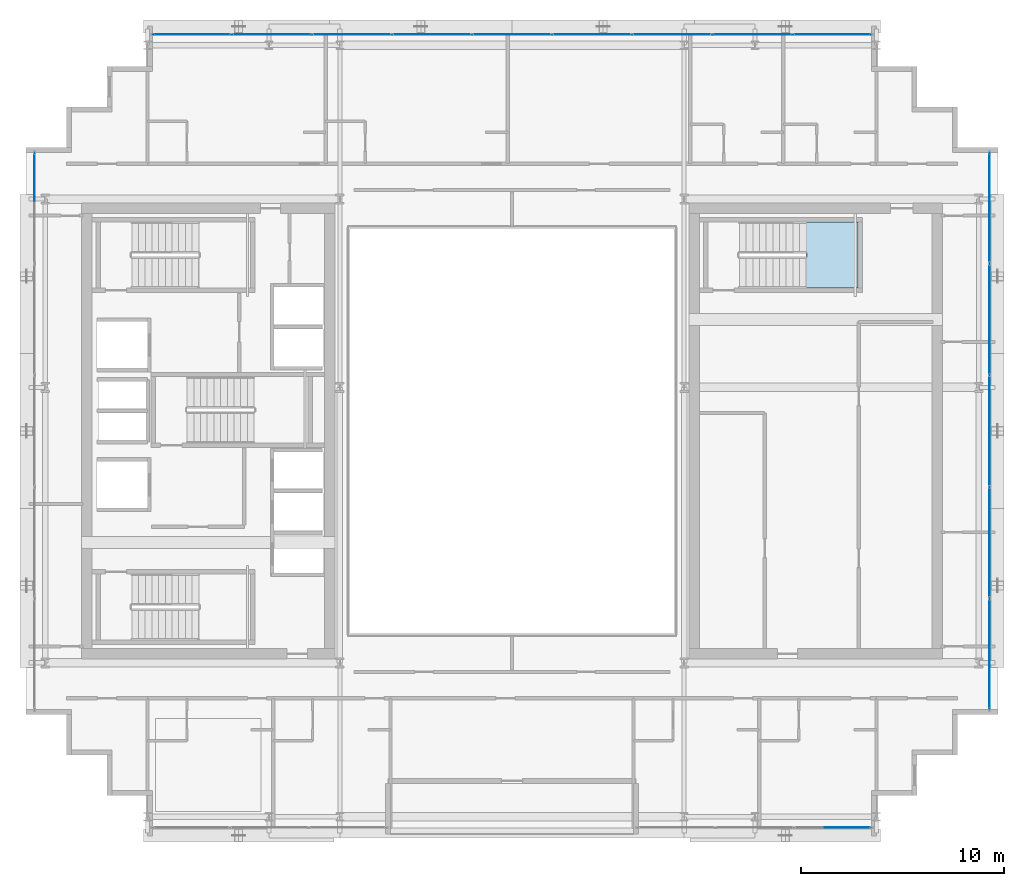
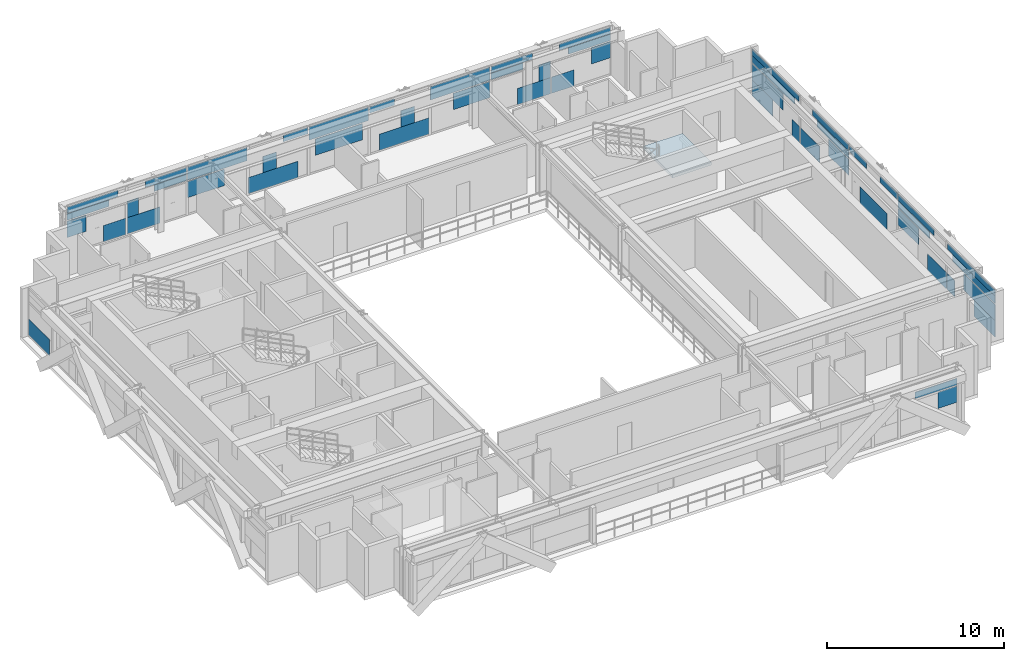
# One storey, part 21 of 31: 52 plates, 1 slab, 5 elements without a shape of their own.
"""IFC4 building model written with IfcOpenShell, lengths in metres."""

from ifc_helpers import new_model, si_unit, direction, frame, origin, origin_2d, place, context, subcontext, project, spatial, polyline, rectangle, outline, extrude, source, transform, mapped, material, layer, layer_set, type_object, element, aggregate, save


model = new_model("IFC4")

# Units and contexts
model_context = context("Model", 3, precision=1e-05, world=origin(), true_north=direction((0.0, 1.0)))
body_context = subcontext(model_context, "Body", "Model", "MODEL_VIEW")
ifc_project = project(units=[si_unit("LENGTHUNIT", "METRE"), si_unit("AREAUNIT", "SQUARE_METRE"), si_unit("VOLUMEUNIT", "CUBIC_METRE"), si_unit("PLANEANGLEUNIT", "RADIAN"), si_unit("MASSUNIT", "GRAM", prefix="KILO")], contexts=[model_context])

# Site, building, storey
site_placement = place(None, origin())
site = spatial("IfcSite", under=ifc_project, at=site_placement, CompositionType="ELEMENT")
building_placement = place(site_placement, origin())
building = spatial("IfcBuilding", under=site, at=building_placement, Name="Ocotamira Hotel", CompositionType="ELEMENT")
storey_placement = place(building_placement, frame((0.0, 0.0, 181.199951171875)))
storey = spatial("IfcBuildingStorey", under=building, at=storey_placement, Name="L45", CompositionType="ELEMENT", Elevation=181.199951171875)

# Stair, slab
ifc_material_1 = material(Name="Concrete C40/50", Category="concrete")
stair_type = type_object("IfcStairType", Name="ST-CORE-1560", PredefinedType="HALF_TURN_STAIR", material=ifc_material_1)
stair_placement = place(storey_placement, origin())
stair = element("IfcStair", 1, at=stair_placement, inside=storey, type_object=stair_type, Name="L45 Exit Stair ST-4", PredefinedType="HALF_TURN_STAIR")
ifc_layer_1 = layer(ifc_material_1, 0.199951171875)
ifc_layer_set_1 = layer_set([ifc_layer_1], Name="Concrete C40/50")
slab_type = type_object("IfcSlabType", Name="SLB-LAND-200", PredefinedType="LANDING", material=ifc_layer_set_1)
slab_placement = place(storey_placement, frame((0.0, 0.0, 1.60009765625)))
slab = element("IfcSlab", 2, at=slab_placement, type_object=slab_type, Name="ST-4 landing 1", PredefinedType="LANDING", context=body_context, shape_type="SweptSolid", body=[
    extrude(outline(polyline([(46.530029296875, 33.050048828125), (49.090087890625, 33.050048828125), (49.090087890625, 36.330078125), (46.530029296875, 36.330078125), (46.530029296875, 33.050048828125)])), origin(), (0.0, 0.0, 1.0), 0.199951171875),
])
aggregate(stair, [slab])

# Curtain wall, plates
ifc_material_2 = material(Name="Anodised pale-metal aluminium and solar glass", Category="aluminium")
ifc_layer_2 = layer(ifc_material_2, 0.199951171875)
ifc_layer_set_2 = layer_set([ifc_layer_2], Name="Anodised pale-metal aluminium and solar glass")
curtain_wall_type = type_object("IfcCurtainWallType", Name="CW-SYS4-Z3", PredefinedType="NOTDEFINED", material=ifc_layer_set_2)
curtain_wall_1_placement = place(storey_placement, origin())
curtain_wall_1 = element("IfcCurtainWall", 3, at=curtain_wall_1_placement, inside=storey, type_object=curtain_wall_type, Name="L45 Curtain Wall CW-4 CW-L45-N", PredefinedType="NOTDEFINED")
ifc_material_3 = material(Name="Double-silver low-E insulated solar glass", Category="glass")
ifc_layer_3 = layer(ifc_material_3, 0.031982421875)
ifc_layer_set_3 = layer_set([ifc_layer_3], Name="Double-silver low-E insulated solar glass")
plate_type = type_object("IfcPlateType", Name="CWP-VISION-32", PredefinedType="CURTAIN_PANEL", material=ifc_layer_set_3)
shared_shape_1 = source(origin(), body_context, "Body", "SweptSolid", [
    extrude(rectangle(XDim=0.898193359375, YDim=0.031982421875, at=origin_2d()), origin(), (0.0, 0.0, 1.0), 1.11865234375),
])
plate_1_placement = place(storey_placement, frame((27.5, 45.580078125, 1.19384765625), z_axis=(0.0, 0.0, 1.0), x_axis=(1.0, 0.0, 0.0)))
plate_1 = element("IfcPlate", 4, at=plate_1_placement, type_object=plate_type, Name="CW-4 panel 4.1.2", PredefinedType="CURTAIN_PANEL", context=body_context, shape_type="MappedRepresentation", body=[
    mapped(shared_shape_1, transform((0.0, 0.0, 0.0), scale=1.0)),
])
plate_2_placement = place(storey_placement, frame((36.5, 45.580078125, 1.19384765625), z_axis=(0.0, 0.0, 1.0), x_axis=(1.0, 0.0, 0.0)))
plate_2 = element("IfcPlate", 5, at=plate_2_placement, type_object=plate_type, Name="CW-4 panel 6.1.2", PredefinedType="CURTAIN_PANEL", context=body_context, shape_type="MappedRepresentation", body=[
    mapped(shared_shape_1, transform((0.0, 0.0, 0.0), scale=1.0)),
])
shared_shape_2 = source(origin(), body_context, "Body", "SweptSolid", [
    extrude(rectangle(XDim=3.87548828125, YDim=0.031982421875, at=origin_2d()), origin(), (0.0, 0.0, 1.0), 0.907470703125),
])
plate_3_placement = place(storey_placement, frame((24.0888671875, 45.580078125, 2.3876953125), z_axis=(0.0, 0.0, 1.0), x_axis=(1.0, 0.0, 0.0)))
plate_3 = element("IfcPlate", 6, at=plate_3_placement, type_object=plate_type, Name="CW-4 panel 3.2", PredefinedType="CURTAIN_PANEL", context=body_context, shape_type="MappedRepresentation", body=[
    mapped(shared_shape_2, transform((0.0, 0.0, 0.0), scale=1.0)),
])
plate_4_placement = place(storey_placement, frame((32.0, 45.580078125, 2.3876953125), z_axis=(0.0, 0.0, 1.0), x_axis=(1.0, 0.0, 0.0)))
plate_4 = element("IfcPlate", 7, at=plate_4_placement, type_object=plate_type, Name="CW-4 panel 5.2", PredefinedType="CURTAIN_PANEL", context=body_context, shape_type="MappedRepresentation", body=[
    mapped(shared_shape_2, transform((0.0, 0.0, 0.0), scale=1.0)),
])
plate_5_placement = place(storey_placement, frame((39.9111328125, 45.580078125, 2.3876953125), z_axis=(0.0, 0.0, 1.0), x_axis=(1.0, 0.0, 0.0)))
plate_5 = element("IfcPlate", 8, at=plate_5_placement, type_object=plate_type, Name="CW-4 panel 7.2", PredefinedType="CURTAIN_PANEL", context=body_context, shape_type="MappedRepresentation", body=[
    mapped(shared_shape_2, transform((0.0, 0.0, 0.0), scale=1.0)),
])

# Curtain wall, plate
curtain_wall_2_placement = place(storey_placement, origin())
curtain_wall_2 = element("IfcCurtainWall", 9, at=curtain_wall_2_placement, inside=storey, type_object=curtain_wall_type, Name="L45 Curtain Wall CW-4 CW-L45-S2", PredefinedType="NOTDEFINED")
shared_shape_3 = source(origin(), body_context, "Body", "SweptSolid", [
    extrude(rectangle(XDim=2.744140625, YDim=0.031982421875, at=origin_2d()), origin(), (0.0, 0.0, 1.0), 0.443603515625),
])
plate_6_placement = place(storey_placement, frame((48.347900390625, 6.419921875, 2.3876953125), z_axis=(0.0, 0.0, 1.0), x_axis=(1.0, 0.0, 0.0)))
plate_6 = element("IfcPlate", 10, at=plate_6_placement, type_object=plate_type, Name="CW-4 panel 3.2.2", PredefinedType="CURTAIN_PANEL", context=body_context, shape_type="MappedRepresentation", body=[
    mapped(shared_shape_3, transform((0.0, 0.0, 0.0), scale=1.0)),
])

# Plate
plate_7_placement = place(storey_placement, frame((15.652099609375, 45.580078125, 2.3876953125), z_axis=(0.0, 0.0, 1.0), x_axis=(1.0, 0.0, 0.0)))
plate_7 = element("IfcPlate", 11, at=plate_7_placement, type_object=plate_type, Name="CW-4 panel 1.2.1", PredefinedType="CURTAIN_PANEL", context=body_context, shape_type="MappedRepresentation", body=[
    mapped(shared_shape_3, transform((0.0, 0.0, 0.0), scale=1.0)),
])

plate_8_placement = place(storey_placement, frame((48.347900390625, 45.580078125, 2.3876953125), z_axis=(0.0, 0.0, 1.0), x_axis=(1.0, 0.0, 0.0)))
plate_8 = element("IfcPlate", 12, at=plate_8_placement, type_object=plate_type, Name="CW-4 panel 9.2.2", PredefinedType="CURTAIN_PANEL", context=body_context, shape_type="MappedRepresentation", body=[
    mapped(shared_shape_3, transform((0.0, 0.0, 0.0), scale=1.0)),
])

shared_shape_4 = source(origin(), body_context, "Body", "SweptSolid", [
    extrude(rectangle(XDim=3.337646484375, YDim=0.031982421875, at=origin_2d()), origin(), (0.0, 0.0, 1.0), 0.4326171875),
])
plate_9_placement = place(storey_placement, frame((15.94873046875, 45.580078125, 2.862548828125), z_axis=(0.0, 0.0, 1.0), x_axis=(1.0, 0.0, 0.0)))
plate_9 = element("IfcPlate", 13, at=plate_9_placement, type_object=plate_type, Name="CW-4 panel 1.2.2", PredefinedType="CURTAIN_PANEL", context=body_context, shape_type="MappedRepresentation", body=[
    mapped(shared_shape_4, transform((0.0, 0.0, 0.0), scale=1.0)),
])

plate_10_placement = place(storey_placement, frame((48.05126953125, 45.580078125, 2.862548828125), z_axis=(0.0, 0.0, 1.0), x_axis=(1.0, 0.0, 0.0)))
plate_10 = element("IfcPlate", 14, at=plate_10_placement, type_object=plate_type, Name="CW-4 panel 9.2.1", PredefinedType="CURTAIN_PANEL", context=body_context, shape_type="MappedRepresentation", body=[
    mapped(shared_shape_4, transform((0.0, 0.0, 0.0), scale=1.0)),
])

shared_shape_5 = source(origin(), body_context, "Body", "SweptSolid", [
    extrude(rectangle(XDim=1.463134765625, YDim=0.031982421875, at=origin_2d()), origin(), (0.0, 0.0, 1.0), 1.118896484375),
])
plate_11_placement = place(storey_placement, frame((17.384033203125, 45.580078125, 0.0751953125), z_axis=(0.0, 0.0, 1.0), x_axis=(1.0, 0.0, 0.0)))
plate_11 = element("IfcPlate", 15, at=plate_11_placement, type_object=plate_type, Name="CW-4 panel 1.1.2", PredefinedType="CURTAIN_PANEL", context=body_context, shape_type="MappedRepresentation", body=[
    mapped(shared_shape_5, transform((0.0, 0.0, 0.0), scale=1.0)),
])

plate_12_placement = place(storey_placement, frame((46.615966796875, 45.580078125, 0.0751953125), z_axis=(0.0, 0.0, 1.0), x_axis=(1.0, 0.0, 0.0)))
plate_12 = element("IfcPlate", 16, at=plate_12_placement, type_object=plate_type, Name="CW-4 panel 9.1.1", PredefinedType="CURTAIN_PANEL", context=body_context, shape_type="MappedRepresentation", body=[
    mapped(shared_shape_5, transform((0.0, 0.0, 0.0), scale=1.0)),
])

shared_shape_6 = source(origin(), body_context, "Body", "SweptSolid", [
    extrude(rectangle(XDim=2.152099609375, YDim=0.031982421875, at=origin_2d()), origin(), (0.0, 0.0, 1.0), 1.118896484375),
])
plate_13_placement = place(storey_placement, frame((19.271484375, 45.580078125, 0.0751953125), z_axis=(0.0, 0.0, 1.0), x_axis=(1.0, 0.0, 0.0)))
plate_13 = element("IfcPlate", 17, at=plate_13_placement, type_object=plate_type, Name="CW-4 panel 2.1.1", PredefinedType="CURTAIN_PANEL", context=body_context, shape_type="MappedRepresentation", body=[
    mapped(shared_shape_6, transform((0.0, 0.0, 0.0), scale=1.0)),
])

plate_14_placement = place(storey_placement, frame((44.728515625, 45.580078125, 0.0751953125), z_axis=(0.0, 0.0, 1.0), x_axis=(1.0, 0.0, 0.0)))
plate_14 = element("IfcPlate", 18, at=plate_14_placement, type_object=plate_type, Name="CW-4 panel 8.1.1", PredefinedType="CURTAIN_PANEL", context=body_context, shape_type="MappedRepresentation", body=[
    mapped(shared_shape_6, transform((0.0, 0.0, 0.0), scale=1.0)),
])

shared_shape_7 = source(origin(), body_context, "Body", "SweptSolid", [
    extrude(rectangle(XDim=2.688720703125, YDim=0.031982421875, at=origin_2d()), origin(), (0.0, 0.0, 1.0), 0.4326171875),
])
plate_15_placement = place(storey_placement, frame((20.726806640625, 45.580078125, 2.862548828125), z_axis=(0.0, 0.0, 1.0), x_axis=(1.0, 0.0, 0.0)))
plate_15 = element("IfcPlate", 19, at=plate_15_placement, type_object=plate_type, Name="CW-4 panel 2.2.1", PredefinedType="CURTAIN_PANEL", context=body_context, shape_type="MappedRepresentation", body=[
    mapped(shared_shape_7, transform((0.0, 0.0, 0.0), scale=1.0)),
])

plate_16_placement = place(storey_placement, frame((43.273193359375, 45.580078125, 2.862548828125), z_axis=(0.0, 0.0, 1.0), x_axis=(1.0, 0.0, 0.0)))
plate_16 = element("IfcPlate", 20, at=plate_16_placement, type_object=plate_type, Name="CW-4 panel 8.2.2", PredefinedType="CURTAIN_PANEL", context=body_context, shape_type="MappedRepresentation", body=[
    mapped(shared_shape_7, transform((0.0, 0.0, 0.0), scale=1.0)),
])

shared_shape_8 = source(origin(), body_context, "Body", "SweptSolid", [
    extrude(rectangle(XDim=2.09521484375, YDim=0.031982421875, at=origin_2d()), origin(), (0.0, 0.0, 1.0), 0.443603515625),
])
plate_17_placement = place(storey_placement, frame((21.0234375, 45.580078125, 2.3876953125), z_axis=(0.0, 0.0, 1.0), x_axis=(1.0, 0.0, 0.0)))
plate_17 = element("IfcPlate", 21, at=plate_17_placement, type_object=plate_type, Name="CW-4 panel 2.2.2", PredefinedType="CURTAIN_PANEL", context=body_context, shape_type="MappedRepresentation", body=[
    mapped(shared_shape_8, transform((0.0, 0.0, 0.0), scale=1.0)),
])

plate_18_placement = place(storey_placement, frame((42.9765625, 45.580078125, 2.3876953125), z_axis=(0.0, 0.0, 1.0), x_axis=(1.0, 0.0, 0.0)))
plate_18 = element("IfcPlate", 22, at=plate_18_placement, type_object=plate_type, Name="CW-4 panel 8.2.1", PredefinedType="CURTAIN_PANEL", context=body_context, shape_type="MappedRepresentation", body=[
    mapped(shared_shape_8, transform((0.0, 0.0, 0.0), scale=1.0)),
])

shared_shape_9 = source(origin(), body_context, "Body", "SweptSolid", [
    extrude(rectangle(XDim=3.240966796875, YDim=0.031982421875, at=origin_2d()), origin(), (0.0, 0.0, 1.0), 1.118896484375),
])
plate_19_placement = place(storey_placement, frame((27.72705078125, 45.580078125, 0.0751953125), z_axis=(0.0, 0.0, 1.0), x_axis=(1.0, 0.0, 0.0)))
plate_19 = element("IfcPlate", 23, at=plate_19_placement, type_object=plate_type, Name="CW-4 panel 4.1.1", PredefinedType="CURTAIN_PANEL", context=body_context, shape_type="MappedRepresentation", body=[
    mapped(shared_shape_9, transform((0.0, 0.0, 0.0), scale=1.0)),
])

plate_20_placement = place(storey_placement, frame((36.27294921875, 45.580078125, 0.0751953125), z_axis=(0.0, 0.0, 1.0), x_axis=(1.0, 0.0, 0.0)))
plate_20 = element("IfcPlate", 24, at=plate_20_placement, type_object=plate_type, Name="CW-4 panel 6.1.1", PredefinedType="CURTAIN_PANEL", context=body_context, shape_type="MappedRepresentation", body=[
    mapped(shared_shape_9, transform((0.0, 0.0, 0.0), scale=1.0)),
])

shared_shape_10 = source(origin(), body_context, "Body", "SweptSolid", [
    extrude(rectangle(XDim=1.599853515625, YDim=0.031982421875, at=origin_2d()), origin(), (0.0, 0.0, 1.0), 0.4326171875),
])
plate_21_placement = place(storey_placement, frame((29.182373046875, 45.580078125, 2.862548828125), z_axis=(0.0, 0.0, 1.0), x_axis=(1.0, 0.0, 0.0)))
plate_21 = element("IfcPlate", 25, at=plate_21_placement, type_object=plate_type, Name="CW-4 panel 4.2.1", PredefinedType="CURTAIN_PANEL", context=body_context, shape_type="MappedRepresentation", body=[
    mapped(shared_shape_10, transform((0.0, 0.0, 0.0), scale=1.0)),
])

plate_22_placement = place(storey_placement, frame((34.817626953125, 45.580078125, 2.862548828125), z_axis=(0.0, 0.0, 1.0), x_axis=(1.0, 0.0, 0.0)))
plate_22 = element("IfcPlate", 26, at=plate_22_placement, type_object=plate_type, Name="CW-4 panel 6.2.1", PredefinedType="CURTAIN_PANEL", context=body_context, shape_type="MappedRepresentation", body=[
    mapped(shared_shape_10, transform((0.0, 0.0, 0.0), scale=1.0)),
])

# Curtain wall, plate
curtain_wall_3_placement = place(storey_placement, origin())
curtain_wall_3 = element("IfcCurtainWall", 27, at=curtain_wall_3_placement, inside=storey, type_object=curtain_wall_type, Name="L45 Curtain Wall CW-4 CW-L45-W", PredefinedType="NOTDEFINED")
shared_shape_11 = source(origin(), body_context, "Body", "SweptSolid", [
    extrude(rectangle(XDim=2.348388671875, YDim=0.031982421875, at=origin_2d()), origin(), (0.0, 0.0, 1.0), 1.118896484375),
])
plate_23_placement = place(storey_placement, frame((8.419921875, 38.5458984375, 0.0751953125), z_axis=(0.0, 0.0, 1.0), x_axis=(0.0, 1.0, 0.0)))
plate_23 = element("IfcPlate", 28, at=plate_23_placement, type_object=plate_type, Name="CW-4 panel 5.1.3", PredefinedType="CURTAIN_PANEL", context=body_context, shape_type="MappedRepresentation", body=[
    mapped(shared_shape_11, transform((0.0, 0.0, 0.0), scale=1.0)),
])
aggregate(curtain_wall_3, [plate_23])

# Curtain wall, plates
curtain_wall_4_placement = place(storey_placement, origin())
curtain_wall_4 = element("IfcCurtainWall", 29, at=curtain_wall_4_placement, inside=storey, type_object=curtain_wall_type, Name="L45 Curtain Wall CW-4 CW-L45-E", PredefinedType="NOTDEFINED")
plate_24_placement = place(storey_placement, frame((55.580078125, 13.4541015625, 0.0751953125), z_axis=(0.0, 0.0, 1.0), x_axis=(0.0, 1.0, 0.0)))
plate_24 = element("IfcPlate", 30, at=plate_24_placement, type_object=plate_type, Name="CW-4 panel 1.1.1", PredefinedType="CURTAIN_PANEL", context=body_context, shape_type="MappedRepresentation", body=[
    mapped(shared_shape_11, transform((0.0, 0.0, 0.0), scale=1.0)),
])
plate_25_placement = place(storey_placement, frame((55.580078125, 38.5458984375, 0.0751953125), z_axis=(0.0, 0.0, 1.0), x_axis=(0.0, 1.0, 0.0)))
plate_25 = element("IfcPlate", 31, at=plate_25_placement, type_object=plate_type, Name="CW-4 panel 5.1.3", PredefinedType="CURTAIN_PANEL", context=body_context, shape_type="MappedRepresentation", body=[
    mapped(shared_shape_11, transform((0.0, 0.0, 0.0), scale=1.0)),
])
shared_shape_12 = source(origin(), body_context, "Body", "SweptSolid", [
    extrude(rectangle(XDim=0.845458984375, YDim=0.031982421875, at=origin_2d()), origin(), (0.0, 0.0, 1.0), 1.118896484375),
])
plate_26_placement = place(storey_placement, frame((55.580078125, 17.25732421875, 0.0751953125), z_axis=(0.0, 0.0, 1.0), x_axis=(0.0, 1.0, 0.0)))
plate_26 = element("IfcPlate", 32, at=plate_26_placement, type_object=plate_type, Name="CW-4 panel 1.1.3", PredefinedType="CURTAIN_PANEL", context=body_context, shape_type="MappedRepresentation", body=[
    mapped(shared_shape_12, transform((0.0, 0.0, 0.0), scale=1.0)),
])
plate_27_placement = place(storey_placement, frame((55.580078125, 34.74267578125, 0.0751953125), z_axis=(0.0, 0.0, 1.0), x_axis=(0.0, 1.0, 0.0)))
plate_27 = element("IfcPlate", 33, at=plate_27_placement, type_object=plate_type, Name="CW-4 panel 5.1.1", PredefinedType="CURTAIN_PANEL", context=body_context, shape_type="MappedRepresentation", body=[
    mapped(shared_shape_12, transform((0.0, 0.0, 0.0), scale=1.0)),
])
shared_shape_13 = source(origin(), body_context, "Body", "SweptSolid", [
    extrude(rectangle(XDim=4.7998046875, YDim=0.031982421875, at=origin_2d()), origin(), (0.0, 0.0, 1.0), 0.4951171875),
])
plate_28_placement = place(storey_placement, frame((55.580078125, 14.679931640625, 2.387451171875), z_axis=(0.0, 0.0, 1.0), x_axis=(0.0, 1.0, 0.0)))
plate_28 = element("IfcPlate", 34, at=plate_28_placement, type_object=plate_type, Name="CW-4 panel 1.2.1", PredefinedType="CURTAIN_PANEL", context=body_context, shape_type="MappedRepresentation", body=[
    mapped(shared_shape_13, transform((0.0, 0.0, 0.0), scale=1.0)),
])
plate_29_placement = place(storey_placement, frame((55.580078125, 37.320068359375, 2.387451171875), z_axis=(0.0, 0.0, 1.0), x_axis=(0.0, 1.0, 0.0)))
plate_29 = element("IfcPlate", 35, at=plate_29_placement, type_object=plate_type, Name="CW-4 panel 5.2.2", PredefinedType="CURTAIN_PANEL", context=body_context, shape_type="MappedRepresentation", body=[
    mapped(shared_shape_13, transform((0.0, 0.0, 0.0), scale=1.0)),
])
shared_shape_14 = source(origin(), body_context, "Body", "SweptSolid", [
    extrude(rectangle(XDim=5.32470703125, YDim=0.031982421875, at=origin_2d()), origin(), (0.0, 0.0, 1.0), 0.41259765625),
])
plate_30_placement = place(storey_placement, frame((55.580078125, 14.9423828125, 2.882568359375), z_axis=(0.0, 0.0, 1.0), x_axis=(0.0, 1.0, 0.0)))
plate_30 = element("IfcPlate", 36, at=plate_30_placement, type_object=plate_type, Name="CW-4 panel 1.2.2", PredefinedType="CURTAIN_PANEL", context=body_context, shape_type="MappedRepresentation", body=[
    mapped(shared_shape_14, transform((0.0, 0.0, 0.0), scale=1.0)),
])
plate_31_placement = place(storey_placement, frame((55.580078125, 37.0576171875, 2.882568359375), z_axis=(0.0, 0.0, 1.0), x_axis=(0.0, 1.0, 0.0)))
plate_31 = element("IfcPlate", 37, at=plate_31_placement, type_object=plate_type, Name="CW-4 panel 5.2.1", PredefinedType="CURTAIN_PANEL", context=body_context, shape_type="MappedRepresentation", body=[
    mapped(shared_shape_14, transform((0.0, 0.0, 0.0), scale=1.0)),
])
shared_shape_15 = source(origin(), body_context, "Body", "SweptSolid", [
    extrude(rectangle(XDim=2.138671875, YDim=0.031982421875, at=origin_2d()), origin(), (0.0, 0.0, 1.0), 1.118896484375),
])
plate_32_placement = place(storey_placement, frame((55.580078125, 18.829345703125, 0.0751953125), z_axis=(0.0, 0.0, 1.0), x_axis=(0.0, 1.0, 0.0)))
plate_32 = element("IfcPlate", 38, at=plate_32_placement, type_object=plate_type, Name="CW-4 panel 2.1.1", PredefinedType="CURTAIN_PANEL", context=body_context, shape_type="MappedRepresentation", body=[
    mapped(shared_shape_15, transform((0.0, 0.0, 0.0), scale=1.0)),
])
plate_33_placement = place(storey_placement, frame((55.580078125, 33.170654296875, 0.0751953125), z_axis=(0.0, 0.0, 1.0), x_axis=(0.0, 1.0, 0.0)))
plate_33 = element("IfcPlate", 39, at=plate_33_placement, type_object=plate_type, Name="CW-4 panel 4.1.2", PredefinedType="CURTAIN_PANEL", context=body_context, shape_type="MappedRepresentation", body=[
    mapped(shared_shape_15, transform((0.0, 0.0, 0.0), scale=1.0)),
])
shared_shape_16 = source(origin(), body_context, "Body", "SweptSolid", [
    extrude(rectangle(XDim=4.071533203125, YDim=0.031982421875, at=origin_2d()), origin(), (0.0, 0.0, 1.0), 0.41259765625),
])
plate_34_placement = place(storey_placement, frame((55.580078125, 21.164306640625, 2.882568359375), z_axis=(0.0, 0.0, 1.0), x_axis=(0.0, 1.0, 0.0)))
plate_34 = element("IfcPlate", 40, at=plate_34_placement, type_object=plate_type, Name="CW-4 panel 2.2.1", PredefinedType="CURTAIN_PANEL", context=body_context, shape_type="MappedRepresentation", body=[
    mapped(shared_shape_16, transform((0.0, 0.0, 0.0), scale=1.0)),
])
plate_35_placement = place(storey_placement, frame((55.580078125, 30.835693359375, 2.882568359375), z_axis=(0.0, 0.0, 1.0), x_axis=(0.0, 1.0, 0.0)))
plate_35 = element("IfcPlate", 41, at=plate_35_placement, type_object=plate_type, Name="CW-4 panel 4.2.2", PredefinedType="CURTAIN_PANEL", context=body_context, shape_type="MappedRepresentation", body=[
    mapped(shared_shape_16, transform((0.0, 0.0, 0.0), scale=1.0)),
])
shared_shape_17 = source(origin(), body_context, "Body", "SweptSolid", [
    extrude(rectangle(XDim=3.546630859375, YDim=0.031982421875, at=origin_2d()), origin(), (0.0, 0.0, 1.0), 0.460693359375),
])
plate_36_placement = place(storey_placement, frame((55.580078125, 21.426513671875, 2.3876953125), z_axis=(0.0, 0.0, 1.0), x_axis=(0.0, 1.0, 0.0)))
plate_36 = element("IfcPlate", 42, at=plate_36_placement, type_object=plate_type, Name="CW-4 panel 2.2.2", PredefinedType="CURTAIN_PANEL", context=body_context, shape_type="MappedRepresentation", body=[
    mapped(shared_shape_17, transform((0.0, 0.0, 0.0), scale=1.0)),
])
plate_37_placement = place(storey_placement, frame((55.580078125, 30.573486328125, 2.3876953125), z_axis=(0.0, 0.0, 1.0), x_axis=(0.0, 1.0, 0.0)))
plate_37 = element("IfcPlate", 43, at=plate_37_placement, type_object=plate_type, Name="CW-4 panel 4.2.1", PredefinedType="CURTAIN_PANEL", context=body_context, shape_type="MappedRepresentation", body=[
    mapped(shared_shape_17, transform((0.0, 0.0, 0.0), scale=1.0)),
])
shared_shape_18 = source(origin(), body_context, "Body", "SweptSolid", [
    extrude(rectangle(XDim=3.064208984375, YDim=0.031982421875, at=origin_2d()), origin(), (0.0, 0.0, 1.0), 1.118896484375),
])
plate_38_placement = place(storey_placement, frame((55.580078125, 26.0, 0.0751953125), z_axis=(0.0, 0.0, 1.0), x_axis=(0.0, 1.0, 0.0)))
plate_38 = element("IfcPlate", 44, at=plate_38_placement, type_object=plate_type, Name="CW-4 panel 3.1.1", PredefinedType="CURTAIN_PANEL", context=body_context, shape_type="MappedRepresentation", body=[
    mapped(shared_shape_18, transform((0.0, 0.0, 0.0), scale=1.0)),
])
shared_shape_19 = source(origin(), body_context, "Body", "SweptSolid", [
    extrude(rectangle(XDim=1.958251953125, YDim=0.031982421875, at=origin_2d()), origin(), (0.0, 0.0, 1.0), 0.41259765625),
])
plate_39_placement = place(storey_placement, frame((55.580078125, 24.259033203125, 2.882568359375), z_axis=(0.0, 0.0, 1.0), x_axis=(0.0, 1.0, 0.0)))
plate_39 = element("IfcPlate", 45, at=plate_39_placement, type_object=plate_type, Name="CW-4 panel 3.2.1", PredefinedType="CURTAIN_PANEL", context=body_context, shape_type="MappedRepresentation", body=[
    mapped(shared_shape_19, transform((0.0, 0.0, 0.0), scale=1.0)),
])
plate_40_placement = place(storey_placement, frame((55.580078125, 27.740966796875, 2.882568359375), z_axis=(0.0, 0.0, 1.0), x_axis=(0.0, 1.0, 0.0)))
plate_40 = element("IfcPlate", 46, at=plate_40_placement, type_object=plate_type, Name="CW-4 panel 3.2.2", PredefinedType="CURTAIN_PANEL", context=body_context, shape_type="MappedRepresentation", body=[
    mapped(shared_shape_19, transform((0.0, 0.0, 0.0), scale=1.0)),
])

# Plate
shared_shape_20 = source(origin(), body_context, "Body", "SweptSolid", [
    extrude(rectangle(XDim=1.251953125, YDim=0.031982421875, at=origin_2d()), origin(), (0.0, 0.0, 1.0), 1.11865234375),
])
plate_41_placement = place(storey_placement, frame((49.093994140625, 6.419921875, 1.19384765625), z_axis=(0.0, 0.0, 1.0), x_axis=(1.0, 0.0, 0.0)))
plate_41 = element("IfcPlate", 47, at=plate_41_placement, type_object=plate_type, Name="CW-4 panel 3.1.2", PredefinedType="CURTAIN_PANEL", context=body_context, shape_type="MappedRepresentation", body=[
    mapped(shared_shape_20, transform((0.0, 0.0, 0.0), scale=1.0)),
])

aggregate(curtain_wall_2, [plate_41, plate_6])

plate_42_placement = place(storey_placement, frame((14.906005859375, 45.580078125, 1.19384765625), z_axis=(0.0, 0.0, 1.0), x_axis=(1.0, 0.0, 0.0)))
plate_42 = element("IfcPlate", 48, at=plate_42_placement, type_object=plate_type, Name="CW-4 panel 1.1.1", PredefinedType="CURTAIN_PANEL", context=body_context, shape_type="MappedRepresentation", body=[
    mapped(shared_shape_20, transform((0.0, 0.0, 0.0), scale=1.0)),
])

plate_43_placement = place(storey_placement, frame((49.093994140625, 45.580078125, 1.19384765625), z_axis=(0.0, 0.0, 1.0), x_axis=(1.0, 0.0, 0.0)))
plate_43 = element("IfcPlate", 49, at=plate_43_placement, type_object=plate_type, Name="CW-4 panel 9.1.2", PredefinedType="CURTAIN_PANEL", context=body_context, shape_type="MappedRepresentation", body=[
    mapped(shared_shape_20, transform((0.0, 0.0, 0.0), scale=1.0)),
])

shared_shape_21 = source(origin(), body_context, "Body", "SweptSolid", [
    extrude(rectangle(XDim=0.75341796875, YDim=0.031982421875, at=origin_2d()), origin(), (0.0, 0.0, 1.0), 1.11865234375),
])
plate_44_placement = place(storey_placement, frame((18.572265625, 45.580078125, 1.19384765625), z_axis=(0.0, 0.0, 1.0), x_axis=(1.0, 0.0, 0.0)))
plate_44 = element("IfcPlate", 50, at=plate_44_placement, type_object=plate_type, Name="CW-4 panel 2.1.2", PredefinedType="CURTAIN_PANEL", context=body_context, shape_type="MappedRepresentation", body=[
    mapped(shared_shape_21, transform((0.0, 0.0, 0.0), scale=1.0)),
])

plate_45_placement = place(storey_placement, frame((45.427734375, 45.580078125, 1.19384765625), z_axis=(0.0, 0.0, 1.0), x_axis=(1.0, 0.0, 0.0)))
plate_45 = element("IfcPlate", 51, at=plate_45_placement, type_object=plate_type, Name="CW-4 panel 8.1.2", PredefinedType="CURTAIN_PANEL", context=body_context, shape_type="MappedRepresentation", body=[
    mapped(shared_shape_21, transform((0.0, 0.0, 0.0), scale=1.0)),
])

shared_shape_22 = source(origin(), body_context, "Body", "SweptSolid", [
    extrude(rectangle(XDim=2.380859375, YDim=0.031982421875, at=origin_2d()), origin(), (0.0, 0.0, 1.0), 1.11865234375),
])
plate_46_placement = place(storey_placement, frame((23.341552734375, 45.580078125, 1.19384765625), z_axis=(0.0, 0.0, 1.0), x_axis=(1.0, 0.0, 0.0)))
plate_46 = element("IfcPlate", 52, at=plate_46_placement, type_object=plate_type, Name="CW-4 panel 3.1.1", PredefinedType="CURTAIN_PANEL", context=body_context, shape_type="MappedRepresentation", body=[
    mapped(shared_shape_22, transform((0.0, 0.0, 0.0), scale=1.0)),
])

plate_47_placement = place(storey_placement, frame((40.658447265625, 45.580078125, 1.19384765625), z_axis=(0.0, 0.0, 1.0), x_axis=(1.0, 0.0, 0.0)))
plate_47 = element("IfcPlate", 53, at=plate_47_placement, type_object=plate_type, Name="CW-4 panel 7.1.1", PredefinedType="CURTAIN_PANEL", context=body_context, shape_type="MappedRepresentation", body=[
    mapped(shared_shape_22, transform((0.0, 0.0, 0.0), scale=1.0)),
])

shared_shape_23 = source(origin(), body_context, "Body", "SweptSolid", [
    extrude(rectangle(XDim=3.063720703125, YDim=0.031982421875, at=origin_2d()), origin(), (0.0, 0.0, 1.0), 1.11865234375),
])
plate_48_placement = place(storey_placement, frame((32.0, 45.580078125, 1.19384765625), z_axis=(0.0, 0.0, 1.0), x_axis=(1.0, 0.0, 0.0)))
plate_48 = element("IfcPlate", 54, at=plate_48_placement, type_object=plate_type, Name="CW-4 panel 5.1.1", PredefinedType="CURTAIN_PANEL", context=body_context, shape_type="MappedRepresentation", body=[
    mapped(shared_shape_23, transform((0.0, 0.0, 0.0), scale=1.0)),
])

aggregate(curtain_wall_1, [plate_42, plate_11, plate_7, plate_9, plate_13, plate_44, plate_15, plate_17, plate_46, plate_3, plate_19, plate_1, plate_21, plate_48, plate_4, plate_20, plate_2, plate_22, plate_47, plate_5, plate_14, plate_45, plate_18, plate_16, plate_12, plate_43, plate_10, plate_8])

shared_shape_24 = source(origin(), body_context, "Body", "SweptSolid", [
    extrude(rectangle(XDim=3.534423828125, YDim=0.031982421875, at=origin_2d()), origin(), (0.0, 0.0, 1.0), 1.11865234375),
])
plate_49_placement = place(storey_placement, frame((55.580078125, 14.047119140625, 1.19384765625), z_axis=(0.0, 0.0, 1.0), x_axis=(0.0, 1.0, 0.0)))
plate_49 = element("IfcPlate", 55, at=plate_49_placement, type_object=plate_type, Name="CW-4 panel 1.1.2", PredefinedType="CURTAIN_PANEL", context=body_context, shape_type="MappedRepresentation", body=[
    mapped(shared_shape_24, transform((0.0, 0.0, 0.0), scale=1.0)),
])

plate_50_placement = place(storey_placement, frame((55.580078125, 37.952880859375, 1.19384765625), z_axis=(0.0, 0.0, 1.0), x_axis=(0.0, 1.0, 0.0)))
plate_50 = element("IfcPlate", 56, at=plate_50_placement, type_object=plate_type, Name="CW-4 panel 5.1.2", PredefinedType="CURTAIN_PANEL", context=body_context, shape_type="MappedRepresentation", body=[
    mapped(shared_shape_24, transform((0.0, 0.0, 0.0), scale=1.0)),
])

shared_shape_25 = source(origin(), body_context, "Body", "SweptSolid", [
    extrude(rectangle(XDim=2.281005859375, YDim=0.031982421875, at=origin_2d()), origin(), (0.0, 0.0, 1.0), 1.11865234375),
])
plate_51_placement = place(storey_placement, frame((55.580078125, 22.059326171875, 1.19384765625), z_axis=(0.0, 0.0, 1.0), x_axis=(0.0, 1.0, 0.0)))
plate_51 = element("IfcPlate", 57, at=plate_51_placement, type_object=plate_type, Name="CW-4 panel 2.1.2", PredefinedType="CURTAIN_PANEL", context=body_context, shape_type="MappedRepresentation", body=[
    mapped(shared_shape_25, transform((0.0, 0.0, 0.0), scale=1.0)),
])

plate_52_placement = place(storey_placement, frame((55.580078125, 29.940673828125, 1.19384765625), z_axis=(0.0, 0.0, 1.0), x_axis=(0.0, 1.0, 0.0)))
plate_52 = element("IfcPlate", 58, at=plate_52_placement, type_object=plate_type, Name="CW-4 panel 4.1.1", PredefinedType="CURTAIN_PANEL", context=body_context, shape_type="MappedRepresentation", body=[
    mapped(shared_shape_25, transform((0.0, 0.0, 0.0), scale=1.0)),
])

aggregate(curtain_wall_4, [plate_24, plate_49, plate_26, plate_28, plate_30, plate_32, plate_51, plate_34, plate_36, plate_38, plate_39, plate_40, plate_52, plate_33, plate_37, plate_35, plate_27, plate_50, plate_25, plate_31, plate_29])

save(model, "model.ifc")
